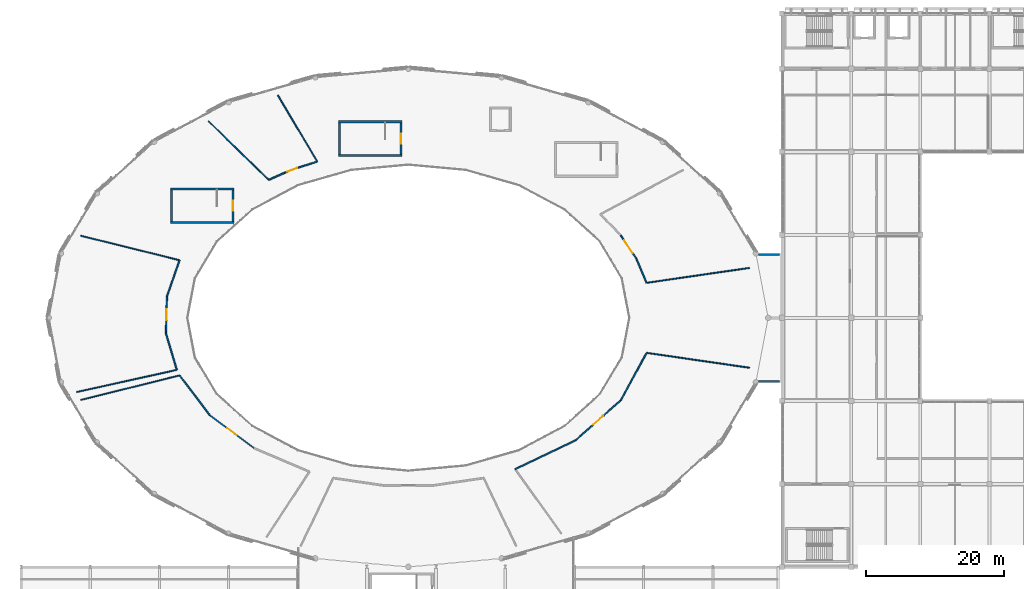
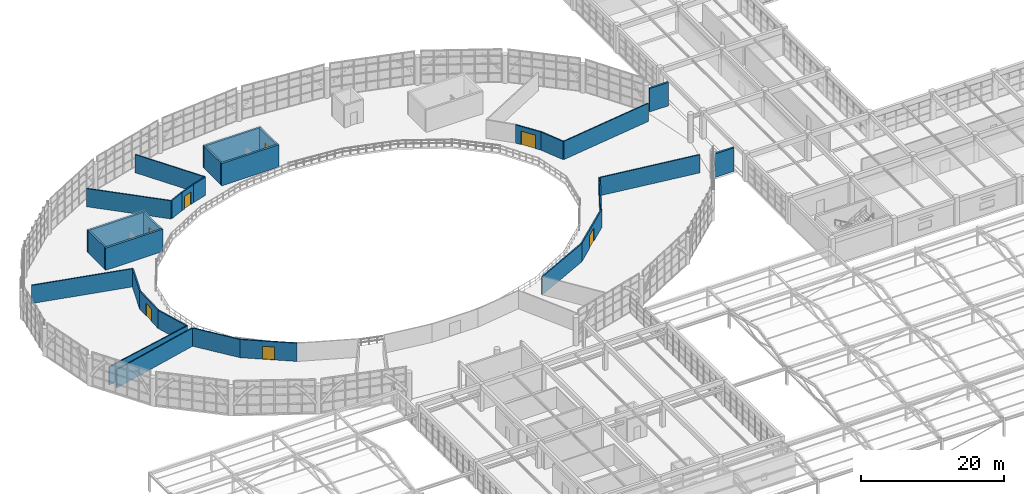
# One storey, part 91 of 109: 30 walls, 7 doors, 7 openings.
"""IFC4 building model written with IfcOpenShell, lengths in metres."""

from ifc_helpers import new_model, si_unit, direction, frame, frame_2d, origin, place, context, subcontext, project, spatial, rectangle, extrude, material, layer, layer_set, type_object, element, fill, save


model = new_model("IFC4")

# Units and contexts
model_context = context("Model", 3, precision=1e-05, world=origin(), true_north=direction((0.0, 1.0)))
body_context = subcontext(model_context, "Body", "Model", "MODEL_VIEW")
ifc_project = project(units=[si_unit("LENGTHUNIT", "METRE"), si_unit("AREAUNIT", "SQUARE_METRE"), si_unit("VOLUMEUNIT", "CUBIC_METRE"), si_unit("PLANEANGLEUNIT", "RADIAN"), si_unit("MASSUNIT", "GRAM", prefix="KILO")], contexts=[model_context])

# Site, building, storey
site_placement = place(None, origin())
site = spatial("IfcSite", under=ifc_project, at=site_placement, CompositionType="ELEMENT")
building_placement = place(site_placement, origin())
building = spatial("IfcBuilding", under=site, at=building_placement, Name="Kivolera Central Railway Station", CompositionType="ELEMENT")
storey_placement = place(building_placement, frame((0.0, 0.0, 9.60009765625)))
storey = spatial("IfcBuildingStorey", under=building, at=storey_placement, Name="L02", CompositionType="ELEMENT", Elevation=9.60009765625)

# Wall
ifc_material_1 = material(Name="Swahili coral limestone", Category="masonry")
ifc_layer_1 = layer(ifc_material_1, 0.199951171875, Name="Swahili coral limestone")
ifc_layer_set_1 = layer_set([ifc_layer_1], Name="Swahili coral limestone")
wall_type_1 = type_object("IfcWallType", Name="WL-COR-200", PredefinedType="PARTITIONING", material=ifc_layer_set_1)
wall_1_placement = place(storey_placement, frame((98.430908203125, 95.06298828125, 0.0), z_axis=(0.0, 0.0, 1.0), x_axis=(-0.390074018244, 0.920783503486, 0.0)))
element("IfcWall", 1, at=wall_1_placement, inside=storey, type_object=wall_type_1, Name="L02 Upper Concourse Travel Accessories Retail Shop Gallery Wall 1", PredefinedType="PARTITIONING", context=body_context, shape_type="SweptSolid", body=[
    extrude(rectangle(XDim=3.834716796875, YDim=0.199951171875, at=frame_2d((1.91748046875, 0.0))), origin(), (0.0, 0.0, 1.0), 3.099853515625),
])

# Wall, opening, door
wall_2_placement = place(storey_placement, frame((96.93505859375, 98.593994140625, 0.0), z_axis=(0.0, 0.0, 1.0), x_axis=(-0.558951466475, 0.829200372724, 0.0)))
wall_2 = element("IfcWall", 2, at=wall_2_placement, inside=storey, type_object=wall_type_1, Name="L02 Upper Concourse Travel Accessories Retail Shop Gallery Wall 2", PredefinedType="PARTITIONING", context=body_context, shape_type="SweptSolid", body=[
    extrude(rectangle(XDim=4.02197265625, YDim=0.199951171875, at=frame_2d((2.010986328125, 0.0))), origin(), (0.0, 0.0, 1.0), 3.099853515625),
])
opening_1_placement = place(wall_2_placement, frame((0.910888671875, 0.0, 0.0)))
opening_1 = element("IfcOpeningElement", 3, at=opening_1_placement, cuts=wall_2, Name="Opening D-DB-08", PredefinedType="OPENING", context=body_context, shape_type="SweptSolid", body=[
    extrude(rectangle(XDim=2.199951171875, YDim=2.300048828125, at=frame_2d((1.10009765625, 1.14990234375))), frame((0.0, 0.10986328125, 0.0), z_axis=(0.0, -1.0, 0.0), x_axis=(1.0, 0.0, 0.0)), (0.0, 0.0, 1.0), 0.219970703125),
])
ifc_material_2 = material(Name="Anodised aluminium", Category="aluminium")
door_type_1 = type_object("IfcDoorType", Name="DR-D-DB-08", OperationType="NOTDEFINED", PredefinedType="DOOR", material=ifc_material_2)
door_1_placement = place(opening_1_placement, origin())
door_1 = element("IfcDoor", 4, at=door_1_placement, inside=storey, type_object=door_type_1, Name="L02 Upper Concourse Travel Accessories Retail Shop Door", OperationType="DOUBLE_DOOR_SINGLE_SWING", OverallHeight=2.300048828125, OverallWidth=2.199951171875, PredefinedType="DOOR", context=body_context, shape_type="SweptSolid", body=[
    extrude(rectangle(XDim=2.199951171875, YDim=2.300048828125, at=frame_2d((1.10009765625, 1.14990234375))), frame((0.0, 0.02490234375, 0.0), z_axis=(0.0, -1.0, 0.0), x_axis=(1.0, 0.0, 0.0)), (0.0, 0.0, 1.0), 0.050048828125),
])
fill(opening_1, door_1)

# Wall
wall_3_placement = place(storey_placement, frame((50.81396484375, 112.576904296875, 0.0), z_axis=(0.0, 0.0, 1.0), x_axis=(-0.955020069034, -0.296541173773, 0.0)))
element("IfcWall", 5, at=wall_3_placement, inside=storey, type_object=wall_type_1, Name="L02 Lantern Dome Overlook Station Cafe Gallery Wall 1", PredefinedType="PARTITIONING", context=body_context, shape_type="SweptSolid", body=[
    extrude(rectangle(XDim=2.542236328125, YDim=0.199951171875, at=frame_2d((1.27099609375, 0.0))), origin(), (0.0, 0.0, 1.0), 3.099853515625),
])

# Wall, opening, door
wall_4_placement = place(storey_placement, frame((48.385986328125, 111.822998046875, 0.0), z_axis=(0.0, 0.0, 1.0), x_axis=(-0.936216677523, -0.351423295655, 0.0)))
wall_4 = element("IfcWall", 6, at=wall_4_placement, inside=storey, type_object=wall_type_1, Name="L02 Lantern Dome Overlook Station Cafe Gallery Wall 2", PredefinedType="PARTITIONING", context=body_context, shape_type="SweptSolid", body=[
    extrude(rectangle(XDim=2.498291015625, YDim=0.199951171875, at=frame_2d((1.2490234375, 0.0))), origin(), (0.0, 0.0, 1.0), 3.099853515625),
])
opening_2_placement = place(wall_4_placement, frame((0.4990234375, 0.0, 0.0)))
opening_2 = element("IfcOpeningElement", 7, at=opening_2_placement, cuts=wall_4, Name="Opening D-DB-01", PredefinedType="OPENING", context=body_context, shape_type="SweptSolid", body=[
    extrude(rectangle(XDim=1.5, YDim=2.14990234375, at=frame_2d((0.75, 1.074951171875))), frame((0.0, 0.10986328125, 0.0), z_axis=(0.0, -1.0, 0.0), x_axis=(1.0, 0.0, 0.0)), (0.0, 0.0, 1.0), 0.219970703125),
])
door_type_2 = type_object("IfcDoorType", Name="DR-D-DB-01", OperationType="NOTDEFINED", PredefinedType="DOOR", material=ifc_material_2)
door_2_placement = place(opening_2_placement, origin())
door_2 = element("IfcDoor", 8, at=door_2_placement, inside=storey, type_object=door_type_2, Name="L02 Lantern Dome Overlook Station Cafe Door", OperationType="DOUBLE_DOOR_SINGLE_SWING", OverallHeight=2.14990234375, OverallWidth=1.5, PredefinedType="DOOR", context=body_context, shape_type="SweptSolid", body=[
    extrude(rectangle(XDim=1.5, YDim=2.14990234375, at=frame_2d((0.75, 1.074951171875))), frame((0.0, 0.02490234375, 0.0), z_axis=(0.0, -1.0, 0.0), x_axis=(1.0, 0.0, 0.0)), (0.0, 0.0, 1.0), 0.050048828125),
])
fill(opening_2, door_2)

# Walls
wall_5_placement = place(storey_placement, frame((46.047119140625, 110.945068359375, 0.0), z_axis=(0.0, 0.0, 1.0), x_axis=(-0.913086871575, -0.407765085505, 0.0)))
element("IfcWall", 9, at=wall_5_placement, inside=storey, type_object=wall_type_1, Name="L02 Lantern Dome Overlook Station Cafe Gallery Wall 3", PredefinedType="PARTITIONING", context=body_context, shape_type="SweptSolid", body=[
    extrude(rectangle(XDim=2.449951171875, YDim=0.199951171875, at=frame_2d((1.22509765625, 0.0))), origin(), (0.0, 0.0, 1.0), 3.099853515625),
])
wall_6_placement = place(storey_placement, frame((30.923095703125, 98.327880859375, 0.0), z_axis=(0.0, 0.0, 1.0), x_axis=(-0.331672808517, -0.943394481694, 0.0)))
element("IfcWall", 10, at=wall_6_placement, inside=storey, type_object=wall_type_1, Name="L02 Panoramic Harbour Departure Lounge Gallery Wall 1", PredefinedType="PARTITIONING", context=body_context, shape_type="SweptSolid", body=[
    extrude(rectangle(XDim=5.533203125, YDim=0.199951171875, at=frame_2d((2.7666015625, 0.0))), origin(), (0.0, 0.0, 1.0), 3.099853515625),
])

# Wall, opening, door
wall_7_placement = place(storey_placement, frame((29.087890625, 93.10791015625, 0.0), z_axis=(0.0, 0.0, 1.0), x_axis=(-0.025311220882, -0.999679619727, 0.0)))
wall_7 = element("IfcWall", 11, at=wall_7_placement, inside=storey, type_object=wall_type_1, Name="L02 Panoramic Harbour Departure Lounge Gallery Wall 2", PredefinedType="PARTITIONING", context=body_context, shape_type="SweptSolid", body=[
    extrude(rectangle(XDim=5.37255859375, YDim=0.199951171875, at=frame_2d((2.686279296875, 0.0))), origin(), (0.0, 0.0, 1.0), 3.099853515625),
])
opening_3_placement = place(wall_7_placement, frame((1.885986328125, 0.0, 0.0)))
opening_3 = element("IfcOpeningElement", 12, at=opening_3_placement, cuts=wall_7, Name="Opening D-DB-02", PredefinedType="OPENING", context=body_context, shape_type="SweptSolid", body=[
    extrude(rectangle(XDim=1.60009765625, YDim=2.14990234375, at=frame_2d((0.800048828125, 1.074951171875))), frame((0.0, 0.10986328125, 0.0), z_axis=(0.0, -1.0, 0.0), x_axis=(1.0, 0.0, 0.0)), (0.0, 0.0, 1.0), 0.219970703125),
])
door_type_3 = type_object("IfcDoorType", Name="DR-D-DB-02", OperationType="NOTDEFINED", PredefinedType="DOOR", material=ifc_material_2)
door_3_placement = place(opening_3_placement, origin())
door_3 = element("IfcDoor", 13, at=door_3_placement, inside=storey, type_object=door_type_3, Name="L02 Panoramic Harbour Departure Lounge Door", OperationType="DOUBLE_DOOR_SINGLE_SWING", OverallHeight=2.14990234375, OverallWidth=1.60009765625, PredefinedType="DOOR", context=body_context, shape_type="SweptSolid", body=[
    extrude(rectangle(XDim=1.60009765625, YDim=2.14990234375, at=frame_2d((0.800048828125, 1.074951171875))), frame((0.0, 0.02490234375, 0.0), z_axis=(0.0, -1.0, 0.0), x_axis=(1.0, 0.0, 0.0)), (0.0, 0.0, 1.0), 0.050048828125),
])
fill(opening_3, door_3)

# Walls
wall_8_placement = place(storey_placement, frame((28.951904296875, 87.737060546875, 0.0), z_axis=(0.0, 0.0, 1.0), x_axis=(0.286087313327, -0.95820355309, 0.0)))
element("IfcWall", 14, at=wall_8_placement, inside=storey, type_object=wall_type_1, Name="L02 Panoramic Harbour Departure Lounge Gallery Wall 3", PredefinedType="PARTITIONING", context=body_context, shape_type="SweptSolid", body=[
    extrude(rectangle(XDim=5.491455078125, YDim=0.199951171875, at=frame_2d((2.74560546875, 0.0))), origin(), (0.0, 0.0, 1.0), 3.099853515625),
])
wall_9_placement = place(storey_placement, frame((30.923095703125, 81.672119140625, 0.0), z_axis=(0.0, 0.0, 1.0), x_axis=(0.604001559132, -0.79698313443, 0.0)))
element("IfcWall", 15, at=wall_9_placement, inside=storey, type_object=wall_type_1, Name="L02 East African Railway Heritage Classroom Gallery Wall 1", PredefinedType="PARTITIONING", context=body_context, shape_type="SweptSolid", body=[
    extrude(rectangle(XDim=7.219970703125, YDim=0.199951171875, at=frame_2d((3.60986328125, 0.0))), origin(), (0.0, 0.0, 1.0), 3.099853515625),
])

# Wall, opening, door
wall_10_placement = place(storey_placement, frame((35.283935546875, 75.91796875, 0.0), z_axis=(0.0, 0.0, 1.0), x_axis=(0.803107951368, -0.595833549282, 0.0)))
wall_10 = element("IfcWall", 16, at=wall_10_placement, inside=storey, type_object=wall_type_1, Name="L02 East African Railway Heritage Classroom Gallery Wall 2", PredefinedType="PARTITIONING", context=body_context, shape_type="SweptSolid", body=[
    extrude(rectangle(XDim=7.975341796875, YDim=0.199951171875, at=frame_2d((3.98779296875, 0.0))), origin(), (0.0, 0.0, 1.0), 3.099853515625),
])
opening_4_placement = place(wall_10_placement, frame((3.137939453125, 0.0, 0.0)))
opening_4 = element("IfcOpeningElement", 17, at=opening_4_placement, cuts=wall_10, Name="Opening D-DB-03", PredefinedType="OPENING", context=body_context, shape_type="SweptSolid", body=[
    extrude(rectangle(XDim=1.699951171875, YDim=2.199951171875, at=frame_2d((0.85009765625, 1.10009765625))), frame((0.0, 0.10986328125, 0.0), z_axis=(0.0, -1.0, 0.0), x_axis=(1.0, 0.0, 0.0)), (0.0, 0.0, 1.0), 0.219970703125),
])
door_type_4 = type_object("IfcDoorType", Name="DR-D-DB-03", OperationType="NOTDEFINED", PredefinedType="DOOR", material=ifc_material_2)
door_4_placement = place(opening_4_placement, origin())
door_4 = element("IfcDoor", 18, at=door_4_placement, inside=storey, type_object=door_type_4, Name="L02 East African Railway Heritage Classroom Door", OperationType="DOUBLE_DOOR_SINGLE_SWING", OverallHeight=2.199951171875, OverallWidth=1.699951171875, PredefinedType="DOOR", context=body_context, shape_type="SweptSolid", body=[
    extrude(rectangle(XDim=1.699951171875, YDim=2.199951171875, at=frame_2d((0.85009765625, 1.10009765625))), frame((0.0, 0.02490234375, 0.0), z_axis=(0.0, -1.0, 0.0), x_axis=(1.0, 0.0, 0.0)), (0.0, 0.0, 1.0), 0.050048828125),
])
fill(opening_4, door_4)

# Wall
wall_11_placement = place(storey_placement, frame((79.430908203125, 68.114013671875, 0.0), z_axis=(0.0, 0.0, 1.0), x_axis=(0.902085946196, 0.431556422355, 0.0)))
element("IfcWall", 19, at=wall_11_placement, inside=storey, type_object=wall_type_1, Name="L02 Concourse Transfer Passenger Dining Hall Gallery Wall 1", PredefinedType="PARTITIONING", context=body_context, shape_type="SweptSolid", body=[
    extrude(rectangle(XDim=9.672119140625, YDim=0.199951171875, at=frame_2d((4.8359375, 0.0))), origin(), (0.0, 0.0, 1.0), 3.099853515625),
])

# Wall, opening, door
wall_12_placement = place(storey_placement, frame((88.156005859375, 72.2880859375, 0.0), z_axis=(0.0, 0.0, 1.0), x_axis=(0.748681838454, 0.662929487027, 0.0)))
wall_12 = element("IfcWall", 20, at=wall_12_placement, inside=storey, type_object=wall_type_1, Name="L02 Concourse Transfer Passenger Dining Hall Gallery Wall 2", PredefinedType="PARTITIONING", context=body_context, shape_type="SweptSolid", body=[
    extrude(rectangle(XDim=8.723388671875, YDim=0.199951171875, at=frame_2d((4.36181640625, 0.0))), origin(), (0.0, 0.0, 1.0), 3.099853515625),
])
opening_5_placement = place(wall_12_placement, frame((3.412109375, 0.0, 0.0)))
opening_5 = element("IfcOpeningElement", 21, at=opening_5_placement, cuts=wall_12, Name="Opening D-DB-05", PredefinedType="OPENING", context=body_context, shape_type="SweptSolid", body=[
    extrude(rectangle(XDim=1.89990234375, YDim=2.25, at=frame_2d((0.949951171875, 1.125))), frame((0.0, 0.10986328125, 0.0), z_axis=(0.0, -1.0, 0.0), x_axis=(1.0, 0.0, 0.0)), (0.0, 0.0, 1.0), 0.219970703125),
])
door_type_5 = type_object("IfcDoorType", Name="DR-D-DB-05", OperationType="NOTDEFINED", PredefinedType="DOOR", material=ifc_material_2)
door_5_placement = place(opening_5_placement, origin())
door_5 = element("IfcDoor", 22, at=door_5_placement, inside=storey, type_object=door_type_5, Name="L02 Concourse Transfer Passenger Dining Hall Door", OperationType="DOUBLE_DOOR_SINGLE_SWING", OverallHeight=2.25, OverallWidth=1.89990234375, PredefinedType="DOOR", context=body_context, shape_type="SweptSolid", body=[
    extrude(rectangle(XDim=1.89990234375, YDim=2.25, at=frame_2d((0.949951171875, 1.125))), frame((0.0, 0.02490234375, 0.0), z_axis=(0.0, -1.0, 0.0), x_axis=(1.0, 0.0, 0.0)), (0.0, 0.0, 1.0), 0.050048828125),
])
fill(opening_5, door_5)

# Walls
wall_13_placement = place(storey_placement, frame((94.68701171875, 78.071044921875, 0.0), z_axis=(0.0, 0.0, 1.0), x_axis=(0.478736200362, 0.877958797703, 0.0)))
element("IfcWall", 23, at=wall_13_placement, inside=storey, type_object=wall_type_1, Name="L02 Concourse Transfer Passenger Dining Hall Gallery Wall 3", PredefinedType="PARTITIONING", context=body_context, shape_type="SweptSolid", body=[
    extrude(rectangle(XDim=7.8203125, YDim=0.199951171875, at=frame_2d((3.91015625, 0.0))), origin(), (0.0, 0.0, 1.0), 3.099853515625),
])
ifc_material_3 = material(Name="Concrete C40/50", Category="concrete")
ifc_layer_2 = layer(ifc_material_3, 0.300048828125, Name="Concrete C40/50")
ifc_layer_set_2 = layer_set([ifc_layer_2], Name="Concrete C40/50")
wall_type_2 = type_object("IfcWallType", Name="WL-CORE-300", PredefinedType="SHEAR", material=ifc_layer_set_2)
for number, where, z_axis, x_axis, name in (
    (24, (63.10009765625, 113.469970703125, 0.0), (0.0, 0.0, 1.0), (-1.0, 0.0, 0.0), "L02 ST5 Core Right Shear Wall"),
    (25, (53.89990234375, 118.35009765625, 0.0), (0.0, 0.0, 1.0), (1.0, 0.0, 0.0), "L02 ST5 Core Left Shear Wall"),
):
    element("IfcWall", number, at=place(storey_placement, frame(where, z_axis=z_axis, x_axis=x_axis)), inside=storey, type_object=wall_type_2, Name=name, PredefinedType="SHEAR", context=body_context, shape_type="SweptSolid", body=[
        extrude(rectangle(XDim=9.2001953125, YDim=0.300048828125, at=frame_2d((4.60009765625, 0.0))), origin(), (0.0, 0.0, 1.0), 3.7998046875),
    ])

# Wall, opening, door
wall_14_placement = place(storey_placement, frame((62.949951171875, 118.199951171875, 0.0), z_axis=(0.0, 0.0, 1.0), x_axis=(0.0, -1.0, 0.0)))
wall_14 = element("IfcWall", 26, at=wall_14_placement, inside=storey, type_object=wall_type_2, Name="L02 ST5 Core Near Shear Wall", PredefinedType="SHEAR", context=body_context, shape_type="SweptSolid", body=[
    extrude(rectangle(XDim=4.579833984375, YDim=0.300048828125, at=frame_2d((2.2900390625, 0.0))), origin(), (0.0, 0.0, 1.0), 3.7998046875),
])
opening_6_placement = place(wall_14_placement, frame((1.56494140625, 0.0, 0.0)))
opening_6 = element("IfcOpeningElement", 27, at=opening_6_placement, cuts=wall_14, Name="Opening D-STAIR-1450", PredefinedType="OPENING", context=body_context, shape_type="SweptSolid", body=[
    extrude(rectangle(XDim=1.449951171875, YDim=2.199951171875, at=frame_2d((0.72509765625, 1.10009765625))), frame((0.0, 0.159912109375, 0.0), z_axis=(0.0, -1.0, 0.0), x_axis=(1.0, 0.0, 0.0)), (0.0, 0.0, 1.0), 0.320068359375),
])
ifc_material_4 = material(Name="Hardwood mvule timber", Category="wood")
door_type_6 = type_object("IfcDoorType", Name="DR-D-STAIR-1450", OperationType="NOTDEFINED", PredefinedType="DOOR", material=ifc_material_4)
door_6_placement = place(opening_6_placement, origin())
door_6 = element("IfcDoor", 28, at=door_6_placement, inside=storey, type_object=door_type_6, Name="L02 ST5 Concourse/Platform Stair Fire Door", OperationType="SINGLE_SWING_LEFT", OverallHeight=2.199951171875, OverallWidth=1.449951171875, PredefinedType="DOOR", context=body_context, shape_type="SweptSolid", body=[
    extrude(rectangle(XDim=1.449951171875, YDim=2.199951171875, at=frame_2d((0.72509765625, 1.10009765625))), frame((0.0, 0.02490234375, 0.0), z_axis=(0.0, -1.0, 0.0), x_axis=(1.0, 0.0, 0.0)), (0.0, 0.0, 1.0), 0.050048828125),
])
fill(opening_6, door_6)

# Walls
wall_15_placement = place(storey_placement, frame((54.050048828125, 113.6201171875, 0.0), z_axis=(0.0, 0.0, 1.0), x_axis=(0.0, 1.0, 0.0)))
element("IfcWall", 29, at=wall_15_placement, inside=storey, type_object=wall_type_2, Name="L02 ST5 Core Far Shear Wall", PredefinedType="SHEAR", context=body_context, shape_type="SweptSolid", body=[
    extrude(rectangle(XDim=4.579833984375, YDim=0.300048828125, at=frame_2d((2.2900390625, 0.0))), origin(), (0.0, 0.0, 1.0), 3.7998046875),
])
for number, where, z_axis, x_axis, name in (
    (30, (38.800048828125, 103.77001953125, 0.0), (0.0, 0.0, 1.0), (-1.0, 0.0, 0.0), "L02 ST6 Core Right Shear Wall"),
    (31, (29.60009765625, 108.64990234375, 0.0), (0.0, 0.0, 1.0), (1.0, 0.0, 0.0), "L02 ST6 Core Left Shear Wall"),
):
    element("IfcWall", number, at=place(storey_placement, frame(where, z_axis=z_axis, x_axis=x_axis)), inside=storey, type_object=wall_type_2, Name=name, PredefinedType="SHEAR", context=body_context, shape_type="SweptSolid", body=[
        extrude(rectangle(XDim=9.199951171875, YDim=0.300048828125, at=frame_2d((4.60009765625, 0.0))), origin(), (0.0, 0.0, 1.0), 3.7998046875),
    ])

# Wall, opening, door
wall_16_placement = place(storey_placement, frame((38.64990234375, 108.5, 0.0), z_axis=(0.0, 0.0, 1.0), x_axis=(0.0, -1.0, 0.0)))
wall_16 = element("IfcWall", 32, at=wall_16_placement, inside=storey, type_object=wall_type_2, Name="L02 ST6 Core Near Shear Wall", PredefinedType="SHEAR", context=body_context, shape_type="SweptSolid", body=[
    extrude(rectangle(XDim=4.580078125, YDim=0.300048828125, at=frame_2d((2.2900390625, 0.0))), origin(), (0.0, 0.0, 1.0), 3.7998046875),
])
opening_7_placement = place(wall_16_placement, frame((1.56494140625, 0.0, 0.0)))
opening_7 = element("IfcOpeningElement", 33, at=opening_7_placement, cuts=wall_16, Name="Opening D-STAIR-1450", PredefinedType="OPENING", context=body_context, shape_type="SweptSolid", body=[
    extrude(rectangle(XDim=1.449951171875, YDim=2.199951171875, at=frame_2d((0.72509765625, 1.10009765625))), frame((0.0, 0.159912109375, 0.0), z_axis=(0.0, -1.0, 0.0), x_axis=(1.0, 0.0, 0.0)), (0.0, 0.0, 1.0), 0.320068359375),
])
door_7_placement = place(opening_7_placement, origin())
door_7 = element("IfcDoor", 34, at=door_7_placement, inside=storey, type_object=door_type_6, Name="L02 ST6 Concourse/Platform Stair Fire Door", OperationType="SINGLE_SWING_RIGHT", OverallHeight=2.199951171875, OverallWidth=1.449951171875, PredefinedType="DOOR", context=body_context, shape_type="SweptSolid", body=[
    extrude(rectangle(XDim=1.449951171875, YDim=2.199951171875, at=frame_2d((0.72509765625, 1.10009765625))), frame((0.0, 0.02490234375, 0.0), z_axis=(0.0, -1.0, 0.0), x_axis=(1.0, 0.0, 0.0)), (0.0, 0.0, 1.0), 0.050048828125),
])
fill(opening_7, door_7)

# Walls
wall_17_placement = place(storey_placement, frame((29.75, 103.919921875, 0.0), z_axis=(0.0, 0.0, 1.0), x_axis=(0.0, 1.0, 0.0)))
element("IfcWall", 35, at=wall_17_placement, inside=storey, type_object=wall_type_2, Name="L02 ST6 Core Far Shear Wall", PredefinedType="SHEAR", context=body_context, shape_type="SweptSolid", body=[
    extrude(rectangle(XDim=4.580078125, YDim=0.300048828125, at=frame_2d((2.2900390625, 0.0))), origin(), (0.0, 0.0, 1.0), 3.7998046875),
])
ifc_layer_3 = layer(ifc_material_1, 0.2900390625, Name="Swahili coral limestone")
ifc_layer_set_3 = layer_set([ifc_layer_3], Name="Swahili coral limestone")
wall_type_3 = type_object("IfcWallType", Name="WL-EXT-CORAL-290", PredefinedType="SOLIDWALL", material=ifc_layer_set_3)
for number, where, z_axis, x_axis, name in (
    (36, (114.60791015625, 99.172119140625, 0.0), (0.0, 0.0, 1.0), (1.0, 0.0, 0.0), "L02 Concourse Link North Closure Wall"),
    (37, (117.64990234375, 80.827880859375, 0.0), (0.0, 0.0, 1.0), (-1.0, 0.0, 0.0), "L02 Concourse Link South Closure Wall"),
):
    element("IfcWall", number, at=place(storey_placement, frame(where, z_axis=z_axis, x_axis=x_axis)), inside=storey, type_object=wall_type_3, Name=name, PredefinedType="SOLIDWALL", context=body_context, shape_type="SweptSolid", body=[
        extrude(rectangle(XDim=3.0419921875, YDim=0.2900390625, at=frame_2d((1.52099609375, 0.0))), origin(), (0.0, 0.0, 1.0), 4.0),
    ])
ifc_material_5 = material(Name="Gypsum plasterboard steel-stud partition")
ifc_layer_4 = layer(ifc_material_5, 0.1650390625, Name="Gypsum plasterboard steel-stud partition")
ifc_layer_set_4 = layer_set([ifc_layer_4], Name="Gypsum plasterboard steel-stud partition")
wall_type_4 = type_object("IfcWallType", Name="WL-PRT-165", PredefinedType="PARTITIONING", material=ifc_layer_set_4)
wall_18_placement = place(storey_placement, frame((98.430908203125, 95.06298828125, 0.0), z_axis=(0.0, 0.0, 1.0), x_axis=(0.989686158289, 0.143252602386, 0.0)))
element("IfcWall", 38, at=wall_18_placement, inside=storey, type_object=wall_type_4, Name="L02 Upper Concourse Travel Accessories Retail Shop Radial Partition R0", PredefinedType="PARTITIONING", context=body_context, shape_type="SweptSolid", body=[
    extrude(rectangle(XDim=15.023193359375, YDim=0.1650390625, at=frame_2d((7.51171875, 0.0))), origin(), (0.0, 0.0, 1.0), 3.099853515625),
])
wall_19_placement = place(storey_placement, frame((50.81396484375, 112.576904296875, 0.0), z_axis=(0.0, 0.0, 1.0), x_axis=(-0.510280912803, 0.860007784865, 0.0)))
element("IfcWall", 39, at=wall_19_placement, inside=storey, type_object=wall_type_4, Name="L02 Lantern Dome Overlook Station Cafe Radial Partition R0", PredefinedType="PARTITIONING", context=body_context, shape_type="SweptSolid", body=[
    extrude(rectangle(XDim=11.158203125, YDim=0.1650390625, at=frame_2d((5.5791015625, 0.0))), origin(), (0.0, 0.0, 1.0), 3.099853515625),
])
wall_20_placement = place(storey_placement, frame((43.81005859375, 109.946044921875, 0.0), z_axis=(0.0, 0.0, 1.0), x_axis=(-0.71686530552, 0.697211685029, 0.0)))
element("IfcWall", 40, at=wall_20_placement, inside=storey, type_object=wall_type_4, Name="L02 Lantern Dome Overlook Station Cafe Radial Partition R1", PredefinedType="PARTITIONING", context=body_context, shape_type="SweptSolid", body=[
    extrude(rectangle(XDim=12.161376953125, YDim=0.1650390625, at=frame_2d((6.08056640625, 0.0))), origin(), (0.0, 0.0, 1.0), 3.099853515625),
])
wall_21_placement = place(storey_placement, frame((30.923095703125, 98.327880859375, 0.0), z_axis=(0.0, 0.0, 1.0), x_axis=(-0.97063621591, 0.240552148949, 0.0)))
element("IfcWall", 41, at=wall_21_placement, inside=storey, type_object=wall_type_4, Name="L02 Panoramic Harbour Departure Lounge Radial Partition R0", PredefinedType="PARTITIONING", context=body_context, shape_type="SweptSolid", body=[
    extrude(rectangle(XDim=14.71630859375, YDim=0.1650390625, at=frame_2d((7.358154296875, 0.0))), origin(), (0.0, 0.0, 1.0), 3.099853515625),
])
wall_22_placement = place(storey_placement, frame((30.52294921875, 82.47509765625, 0.0), z_axis=(0.0, 0.0, 1.0), x_axis=(-0.976393417968, -0.215999753124, 0.0)))
element("IfcWall", 42, at=wall_22_placement, inside=storey, type_object=wall_type_4, Name="L02 Panoramic Harbour Departure Lounge Radial Partition R1", PredefinedType="PARTITIONING", context=body_context, shape_type="SweptSolid", body=[
    extrude(rectangle(XDim=14.8056640625, YDim=0.1650390625, at=frame_2d((7.40283203125, 0.0))), origin(), (0.0, 0.0, 1.0), 3.099853515625),
])
wall_23_placement = place(storey_placement, frame((30.923095703125, 81.672119140625, 0.0), z_axis=(0.0, 0.0, 1.0), x_axis=(-0.97063621591, -0.240552148949, 0.0)))
element("IfcWall", 43, at=wall_23_placement, inside=storey, type_object=wall_type_4, Name="L02 East African Railway Heritage Classroom Radial Partition R0", PredefinedType="PARTITIONING", context=body_context, shape_type="SweptSolid", body=[
    extrude(rectangle(XDim=14.71630859375, YDim=0.1650390625, at=frame_2d((7.358154296875, 0.0))), origin(), (0.0, 0.0, 1.0), 3.099853515625),
])
wall_24_placement = place(storey_placement, frame((98.430908203125, 84.93701171875, 0.0), z_axis=(0.0, 0.0, 1.0), x_axis=(0.989686158289, -0.143252602386, 0.0)))
element("IfcWall", 44, at=wall_24_placement, inside=storey, type_object=wall_type_4, Name="L02 Concourse Transfer Passenger Dining Hall Radial Partition R1", PredefinedType="PARTITIONING", context=body_context, shape_type="SweptSolid", body=[
    extrude(rectangle(XDim=15.023193359375, YDim=0.1650390625, at=frame_2d((7.51171875, 0.0))), origin(), (0.0, 0.0, 1.0), 3.099853515625),
])

save(model, "model.ifc")
